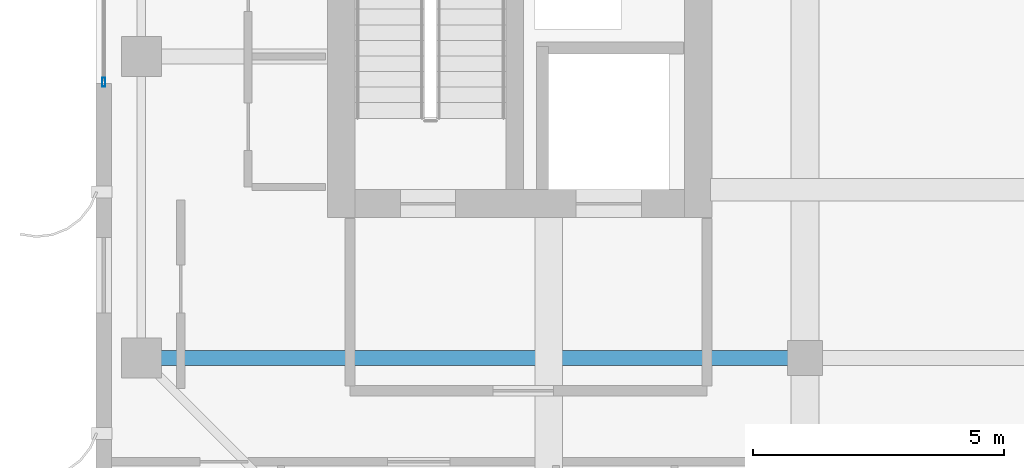
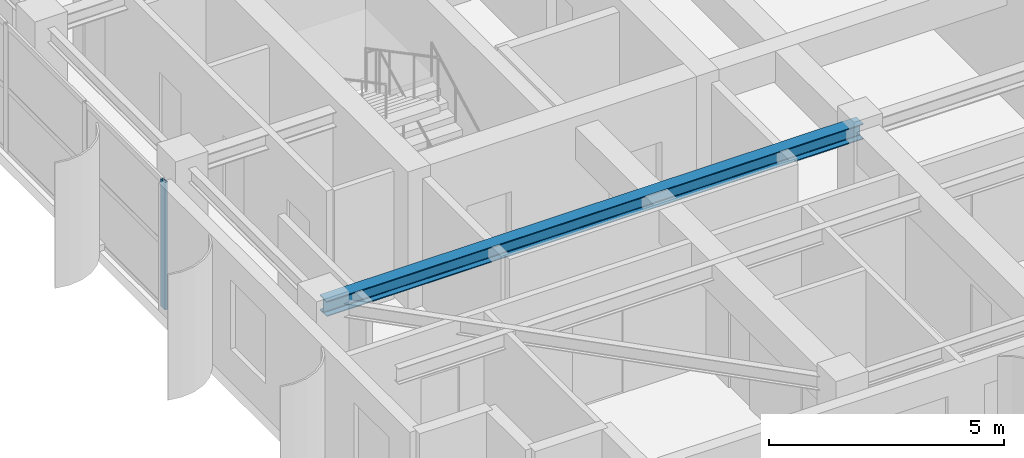
# One storey, part 4 of 23: 1 beam, 1 member, 1 element without a shape of its own.
"""IFC4 building model written with IfcOpenShell, lengths in metres."""

from ifc_helpers import new_model, si_unit, direction, frame, origin, origin_2d, place, context, subcontext, project, spatial, hollow_rectangle, i_section, extrude, source, transform, mapped, material, layer, layer_set, material_profile, profile_set, type_object, element, aggregate, save


model = new_model("IFC4")

# Units and contexts
model_context = context("Model", 3, precision=1e-05, world=origin(), true_north=direction((0.0, 1.0)))
body_context = subcontext(model_context, "Body", "Model", "MODEL_VIEW")
ifc_project = project(units=[si_unit("LENGTHUNIT", "METRE"), si_unit("AREAUNIT", "SQUARE_METRE"), si_unit("VOLUMEUNIT", "CUBIC_METRE"), si_unit("PLANEANGLEUNIT", "RADIAN"), si_unit("MASSUNIT", "GRAM", prefix="KILO")], contexts=[model_context])

# Site, building, storey
site_placement = place(None, origin())
site = spatial("IfcSite", under=ifc_project, at=site_placement, CompositionType="ELEMENT")
building_placement = place(site_placement, origin())
building = spatial("IfcBuilding", under=site, at=building_placement, Name="Khoralis Quay Care Tower", CompositionType="ELEMENT")
storey_placement = place(building_placement, frame((0.0, 0.0, 270.89990234375)))
storey = spatial("IfcBuildingStorey", under=building, at=storey_placement, Name="L71", CompositionType="ELEMENT", Elevation=270.89990234375)

# Beam
ifc_material_1 = material(Name="Steel S355", Category="steel")
ifc_material_profile_1 = material_profile(ifc_material_1, i_section(OverallWidth=0.300048828125, OverallDepth=0.39990234375, WebThickness=0.013427734375, FlangeThickness=0.02392578125, FilletRadius=0.027099609375, at=origin_2d()), Name="Steel S355")
ifc_profile_set_1 = profile_set([ifc_material_profile_1], Name="Steel S355")
beam_type = type_object("IfcBeamType", Name="BM-HEB400", PredefinedType="BEAM", material=ifc_profile_set_1)
shared_shape_1 = source(origin(), body_context, "Body", "SweptSolid", [
    extrude(i_section(OverallWidth=0.300048828125, OverallDepth=0.39990234375, WebThickness=0.013427734375, FlangeThickness=0.02392578125, FilletRadius=0.027099609375, at=origin_2d()), origin(), (0.0, 0.0, 1.0), 13.2001953125),
])
beam_placement = place(storey_placement, frame((3.89990234375, 12.0, 3.1201171875), z_axis=(1.0, 0.0, 0.0), x_axis=(0.0, 1.0, 0.0)))
element("IfcBeam", 1, at=beam_placement, inside=storey, type_object=beam_type, Name="BM-TGXW-L71-120", PredefinedType="BEAM", context=body_context, shape_type="MappedRepresentation", body=[
    mapped(shared_shape_1, transform((0.0, 0.0, 0.0), scale=1.0)),
])

# Curtain wall, member
ifc_material_2 = material(Name="Pale anodised aluminium", Category="aluminium")
ifc_layer = layer(ifc_material_2, 0.159912109375)
ifc_layer_set = layer_set([ifc_layer], Name="Pale anodised aluminium")
curtain_wall_type = type_object("IfcCurtainWallType", Name="CW-SYS-Z3", PredefinedType="NOTDEFINED", material=ifc_layer_set)
curtain_wall_placement = place(storey_placement, origin())
curtain_wall = element("IfcCurtainWall", 2, at=curtain_wall_placement, inside=storey, type_object=curtain_wall_type, Name="L71 Unitised Curtain Wall CW-L71-P1-E15", PredefinedType="NOTDEFINED")
ifc_material_profile_2 = material_profile(ifc_material_2, hollow_rectangle(XDim=0.06494140625, YDim=0.179931640625, WallThickness=0.00390625, at=origin_2d()), Name="Pale anodised aluminium")
ifc_profile_set_2 = profile_set([ifc_material_profile_2], Name="Pale anodised aluminium")
member_type = type_object("IfcMemberType", Name="CW-MUL-180", PredefinedType="MULLION", material=ifc_profile_set_2)
shared_shape_2 = source(origin(), body_context, "Body", "SweptSolid", [
    extrude(hollow_rectangle(XDim=0.06494140625, YDim=0.179931640625, WallThickness=0.00390625, at=origin_2d()), origin(), (0.0, 0.0, 1.0), 3.320068359375),
])
member_placement = place(storey_placement, frame((3.14990234375, 17.489990234375, 0.0), z_axis=(0.0, 0.0, 1.0), x_axis=(1.0, 0.0, 0.0)))
member = element("IfcMember", 3, at=member_placement, type_object=member_type, Name="CW3 mullion 4", PredefinedType="MULLION", context=body_context, shape_type="MappedRepresentation", body=[
    mapped(shared_shape_2, transform((0.0, 0.0, 0.0), scale=1.0)),
])
aggregate(curtain_wall, [member])

save(model, "model.ifc")
